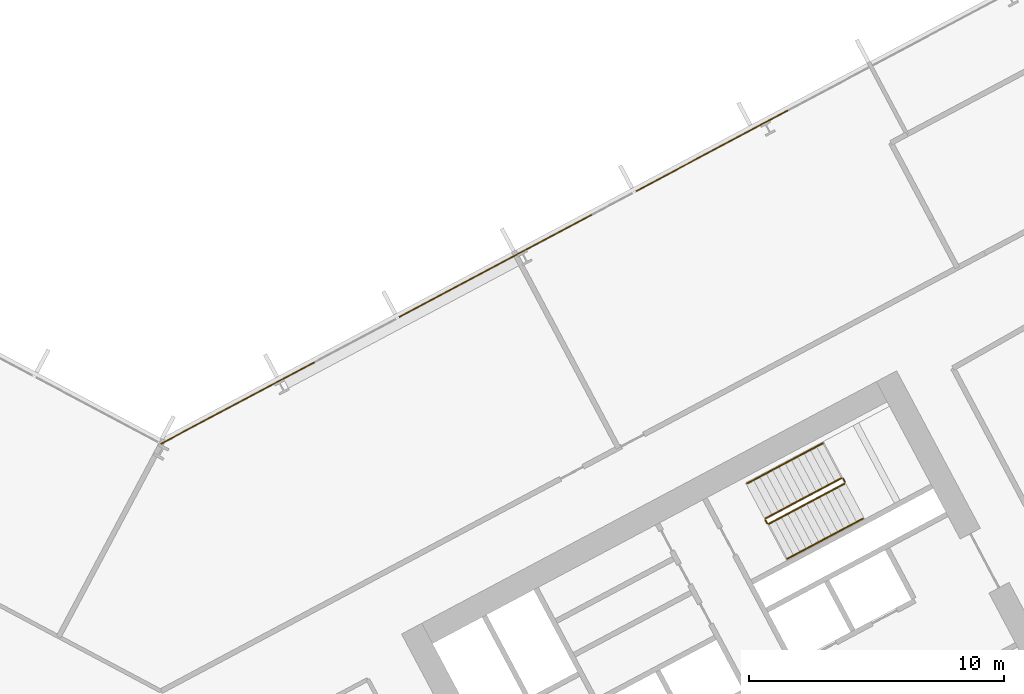
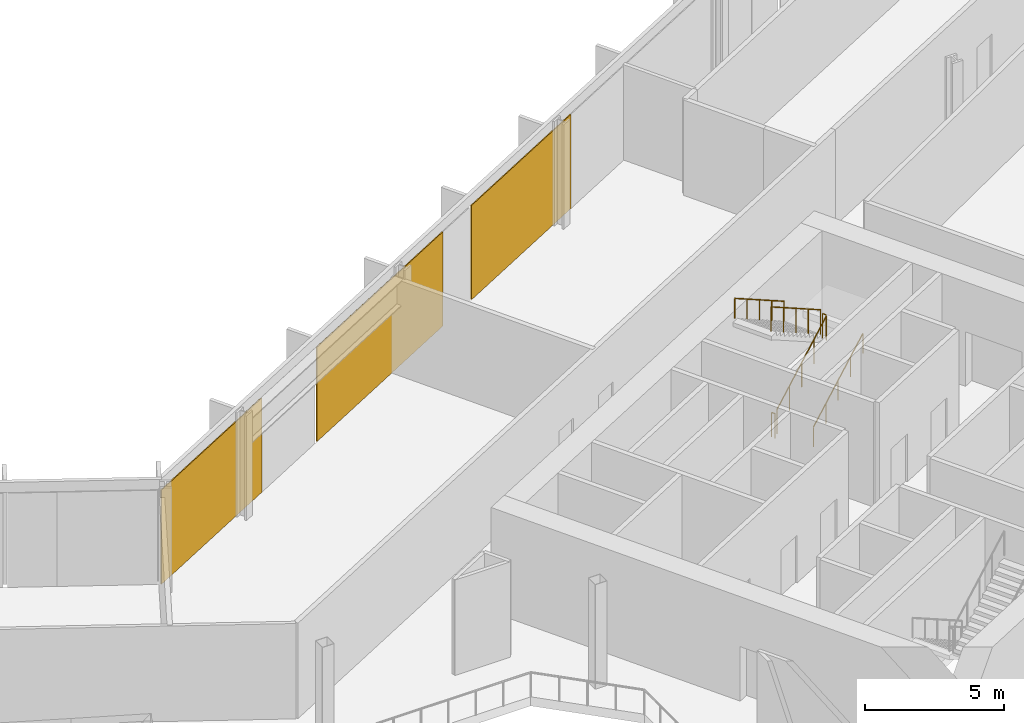
# One storey, part 28 of 30: 6 railings, 3 coverings, 1 element without a shape of its own.
"""IFC4 building model written with IfcOpenShell, lengths in metres."""

from ifc_helpers import new_model, si_unit, direction, frame, origin, origin_2d, place, context, subcontext, project, spatial, polyline, rectangle, outline, extrude, material, layer, layer_set, type_object, element, aggregate, save


model = new_model("IFC4")

# Units and contexts
model_context = context("Model", 3, precision=1e-05, world=origin(), true_north=direction((0.0, 1.0)))
body_context = subcontext(model_context, "Body", "Model", "MODEL_VIEW")
ifc_project = project(units=[si_unit("LENGTHUNIT", "METRE"), si_unit("AREAUNIT", "SQUARE_METRE"), si_unit("VOLUMEUNIT", "CUBIC_METRE"), si_unit("PLANEANGLEUNIT", "RADIAN"), si_unit("MASSUNIT", "GRAM", prefix="KILO")], contexts=[model_context])

# Site, building, storey
site_placement = place(None, origin())
site = spatial("IfcSite", under=ifc_project, at=site_placement, CompositionType="ELEMENT")
building_placement = place(site_placement, origin())
building = spatial("IfcBuilding", under=site, at=building_placement, Name="Cormorant Relay Tower", CompositionType="ELEMENT")
storey_placement = place(building_placement, frame((0.0, 0.0, 89.199951171875)))
storey = spatial("IfcBuildingStorey", under=building, at=storey_placement, Name="L17", CompositionType="ELEMENT", Elevation=89.199951171875)

# Curtain wall, coverings
ifc_material_1 = material(Name="Aluminium 6063-T6 anodised bronze", Category="aluminium")
ifc_layer_1 = layer(ifc_material_1, 0.199951171875)
ifc_layer_set_1 = layer_set([ifc_layer_1], Name="CW1 unitised bronze curtain wall with vertical fins")
curtain_wall_type = type_object("IfcCurtainWallType", Name="CW1 unitised bronze curtain wall with vertical fins", PredefinedType="NOTDEFINED", material=ifc_layer_set_1)
curtain_wall_placement = place(storey_placement, origin())
curtain_wall = element("IfcCurtainWall", 1, at=curtain_wall_placement, inside=storey, type_object=curtain_wall_type, Name="CW1 curtain wall 6", PredefinedType="NOTDEFINED")
ifc_material_2 = material(Name="Pale bronze anodised aluminium insulated panel", Category="aluminium")
ifc_layer_2 = layer(ifc_material_2, 0.0400390625)
ifc_layer_set_2 = layer_set([ifc_layer_2], Name="CW1 pale bronze insulated panel 40")
covering_type = type_object("IfcCoveringType", Name="CW1 pale bronze insulated panel 40", PredefinedType="CLADDING", material=ifc_layer_set_2)
covering_1_placement = place(storey_placement, frame((21.6123046875, 35.298095703125, 0.0), z_axis=(0.0, 0.0, 1.0), x_axis=(-0.882947592859, -0.469471562786, 0.0)))
covering_1 = element("IfcCovering", 2, at=covering_1_placement, type_object=covering_type, Name="CW1 panel S06", PredefinedType="CLADDING", context=body_context, shape_type="SweptSolid", body=[
    extrude(rectangle(XDim=6.765380859375, YDim=0.0400390625, at=origin_2d()), origin(), (0.0, 0.0, 1.0), 4.14990234375),
])
covering_2_placement = place(storey_placement, frame((13.12255859375, 30.7841796875, 0.0), z_axis=(0.0, 0.0, 1.0), x_axis=(-0.882947592859, -0.469471562786, 0.0)))
covering_2 = element("IfcCovering", 3, at=covering_2_placement, type_object=covering_type, Name="CW1 panel S08", PredefinedType="CLADDING", context=body_context, shape_type="SweptSolid", body=[
    extrude(rectangle(XDim=8.565185546875, YDim=0.0400390625, at=origin_2d()), origin(), (0.0, 0.0, 1.0), 4.14990234375),
])
covering_3_placement = place(storey_placement, frame((3.010498046875, 25.4072265625, 0.0), z_axis=(0.0, 0.0, 1.0), x_axis=(-0.882947592859, -0.469471562786, 0.0)))
covering_3 = element("IfcCovering", 4, at=covering_3_placement, type_object=covering_type, Name="CW1 panel S10", PredefinedType="CLADDING", context=body_context, shape_type="SweptSolid", body=[
    extrude(rectangle(XDim=6.84033203125, YDim=0.0400390625, at=origin_2d()), origin(), (0.0, 0.0, 1.0), 4.14990234375),
])
aggregate(curtain_wall, [covering_1, covering_2, covering_3])

# Railings
ifc_material_3 = material(Name="Steel ASTM A572 Grade 50 (Fy 345 MPa)", Category="steel")
railing_type_1 = type_object("IfcRailingType", Name="Stair guard 1100", PredefinedType="GUARDRAIL", material=ifc_material_3)
railing_1_placement = place(storey_placement, frame((23.8408203125, 20.6611328125, 0.177001953125)))
element("IfcRailing", 5, at=railing_1_placement, inside=storey, type_object=railing_type_1, Name="L17 B2 stair guard 1", PredefinedType="GUARDRAIL", context=body_context, shape_type="SweptSolid", body=[
    extrude(outline(polyline([(0.022216796875, 0.00927734375), (0.00927734375, 0.022216796875), (-0.00927734375, 0.022216796875), (-0.022216796875, 0.00927734375), (-0.022216796875, -0.00927734375), (-0.00927734375, -0.022216796875), (0.00927734375, -0.022216796875), (0.022216796875, -0.00927734375), (0.022216796875, 0.00927734375)])), frame((0.0, 0.0, 1.076171875), z_axis=(0.746440668329, 0.396869088057, 0.534154711306), x_axis=(-0.46945269911, 0.882957622595, 0.0)), (0.0, 0.0, 1.0), 3.974609375),
    extrude(outline(polyline([(0.019287109375, 0.008056640625), (0.008056640625, 0.019287109375), (-0.008056640625, 0.019287109375), (-0.019287109375, 0.008056640625), (-0.019287109375, -0.008056640625), (-0.008056640625, -0.019287109375), (0.008056640625, -0.019287109375), (0.019287109375, -0.008056640625), (0.019287109375, 0.008056640625)])), origin(), (0.0, 0.0, 1.0), 1.052001953125),
    extrude(outline(polyline([(0.019287109375, 0.008056640625), (0.008056640625, 0.019287109375), (-0.008056640625, 0.019287109375), (-0.019287109375, 0.008056640625), (-0.019287109375, -0.008056640625), (-0.008056640625, -0.019287109375), (0.008056640625, -0.019287109375), (0.019287109375, -0.008056640625), (0.019287109375, 0.008056640625)])), frame((0.74169921875, 0.394287109375, 0.53076171875)), (0.0, 0.0, 1.0), 1.052001953125),
    extrude(outline(polyline([(0.019287109375, 0.008056640625), (0.008056640625, 0.019287109375), (-0.008056640625, 0.019287109375), (-0.019287109375, 0.008056640625), (-0.019287109375, -0.008056640625), (-0.008056640625, -0.019287109375), (0.008056640625, -0.019287109375), (0.019287109375, -0.008056640625), (0.019287109375, 0.008056640625)])), frame((1.4833984375, 0.78857421875, 1.0615234375)), (0.0, 0.0, 1.0), 1.052001953125),
    extrude(outline(polyline([(0.019287109375, 0.008056640625), (0.008056640625, 0.019287109375), (-0.008056640625, 0.019287109375), (-0.019287109375, 0.008056640625), (-0.019287109375, -0.008056640625), (-0.008056640625, -0.019287109375), (0.008056640625, -0.019287109375), (0.019287109375, -0.008056640625), (0.019287109375, 0.008056640625)])), frame((2.22509765625, 1.18310546875, 1.59228515625)), (0.0, 0.0, 1.0), 1.052001953125),
    extrude(outline(polyline([(0.019287109375, 0.008056640625), (0.008056640625, 0.019287109375), (-0.008056640625, 0.019287109375), (-0.019287109375, 0.008056640625), (-0.019287109375, -0.008056640625), (-0.008056640625, -0.019287109375), (0.008056640625, -0.019287109375), (0.019287109375, -0.008056640625), (0.019287109375, 0.008056640625)])), frame((2.966796875, 1.577392578125, 2.123046875)), (0.0, 0.0, 1.0), 1.052001953125),
])
railing_2_placement = place(storey_placement, frame((26.828125, 22.30615234375, 2.300048828125)))
element("IfcRailing", 6, at=railing_2_placement, inside=storey, type_object=railing_type_1, Name="L17 B2 stair guard 2", PredefinedType="GUARDRAIL", context=body_context, shape_type="SweptSolid", body=[
    extrude(outline(polyline([(0.022216796875, 0.00927734375), (0.00927734375, 0.022216796875), (-0.00927734375, 0.022216796875), (-0.022216796875, 0.00927734375), (-0.022216796875, -0.00927734375), (-0.00927734375, -0.022216796875), (0.00927734375, -0.022216796875), (0.022216796875, -0.00927734375), (0.022216796875, 0.00927734375)])), frame((0.0, 0.0, 1.076171875), z_axis=(-0.469234640946, 0.883073525669, 0.0), x_axis=(-0.883073525669, -0.469234640946, 0.0)), (0.0, 0.0, 1.0), 0.14990234375),
    extrude(outline(polyline([(0.019287109375, 0.008056640625), (0.008056640625, 0.019287109375), (-0.008056640625, 0.019287109375), (-0.019287109375, 0.008056640625), (-0.019287109375, -0.008056640625), (-0.008056640625, -0.019287109375), (0.008056640625, -0.019287109375), (0.019287109375, -0.008056640625), (0.019287109375, 0.008056640625)])), origin(), (0.0, 0.0, 1.0), 1.052001953125),
    extrude(outline(polyline([(0.019287109375, 0.008056640625), (0.008056640625, 0.019287109375), (-0.008056640625, 0.019287109375), (-0.019287109375, 0.008056640625), (-0.019287109375, -0.008056640625), (-0.008056640625, -0.019287109375), (0.008056640625, -0.019287109375), (0.019287109375, -0.008056640625), (0.019287109375, 0.008056640625)])), frame((-0.0703125, 0.13232421875, 0.0)), (0.0, 0.0, 1.0), 1.052001953125),
])
railing_3_placement = place(storey_placement, frame((26.690185546875, 22.459228515625, 2.47705078125)))
element("IfcRailing", 7, at=railing_3_placement, inside=storey, type_object=railing_type_1, Name="L17 B2 stair guard 3", PredefinedType="GUARDRAIL", context=body_context, shape_type="SweptSolid", body=[
    extrude(outline(polyline([(0.022216796875, 0.00927734375), (0.00927734375, 0.022216796875), (-0.00927734375, 0.022216796875), (-0.022216796875, 0.00927734375), (-0.022216796875, -0.00927734375), (-0.00927734375, -0.022216796875), (0.00927734375, -0.022216796875), (0.022216796875, -0.00927734375), (0.022216796875, 0.00927734375)])), frame((0.0, 0.0, 1.076171875), z_axis=(-0.746440668329, -0.396869088057, 0.534154711306), x_axis=(0.46945269911, -0.882957622595, 0.0)), (0.0, 0.0, 1.0), 3.974609375),
    extrude(outline(polyline([(0.019287109375, 0.008056640625), (0.008056640625, 0.019287109375), (-0.008056640625, 0.019287109375), (-0.019287109375, 0.008056640625), (-0.019287109375, -0.008056640625), (-0.008056640625, -0.019287109375), (0.008056640625, -0.019287109375), (0.019287109375, -0.008056640625), (0.019287109375, 0.008056640625)])), origin(), (0.0, 0.0, 1.0), 1.052001953125),
    extrude(outline(polyline([(0.019287109375, 0.008056640625), (0.008056640625, 0.019287109375), (-0.008056640625, 0.019287109375), (-0.019287109375, 0.008056640625), (-0.019287109375, -0.008056640625), (-0.008056640625, -0.019287109375), (0.008056640625, -0.019287109375), (0.019287109375, -0.008056640625), (0.019287109375, 0.008056640625)])), frame((-0.74169921875, -0.394287109375, 0.53076171875)), (0.0, 0.0, 1.0), 1.052001953125),
    extrude(outline(polyline([(0.019287109375, 0.008056640625), (0.008056640625, 0.019287109375), (-0.008056640625, 0.019287109375), (-0.019287109375, 0.008056640625), (-0.019287109375, -0.008056640625), (-0.008056640625, -0.019287109375), (0.008056640625, -0.019287109375), (0.019287109375, -0.008056640625), (0.019287109375, 0.008056640625)])), frame((-1.4833984375, -0.78857421875, 1.0615234375)), (0.0, 0.0, 1.0), 1.052001953125),
    extrude(outline(polyline([(0.019287109375, 0.008056640625), (0.008056640625, 0.019287109375), (-0.008056640625, 0.019287109375), (-0.019287109375, 0.008056640625), (-0.019287109375, -0.008056640625), (-0.008056640625, -0.019287109375), (0.008056640625, -0.019287109375), (0.019287109375, -0.008056640625), (0.019287109375, 0.008056640625)])), frame((-2.22509765625, -1.18310546875, 1.59228515625)), (0.0, 0.0, 1.0), 1.052001953125),
    extrude(outline(polyline([(0.019287109375, 0.008056640625), (0.008056640625, 0.019287109375), (-0.008056640625, 0.019287109375), (-0.019287109375, 0.008056640625), (-0.019287109375, -0.008056640625), (-0.008056640625, -0.019287109375), (0.008056640625, -0.019287109375), (0.019287109375, -0.008056640625), (0.019287109375, 0.008056640625)])), frame((-2.966796875, -1.577392578125, 2.123046875)), (0.0, 0.0, 1.0), 1.052001953125),
])
railing_4_placement = place(storey_placement, frame((23.773193359375, 20.681640625, 0.0)))
element("IfcRailing", 8, at=railing_4_placement, inside=storey, type_object=railing_type_1, Name="L17 B2 stair guard 4", PredefinedType="GUARDRAIL", context=body_context, shape_type="SweptSolid", body=[
    extrude(outline(polyline([(0.022216796875, 0.00927734375), (0.00927734375, 0.022216796875), (-0.00927734375, 0.022216796875), (-0.022216796875, 0.00927734375), (-0.022216796875, -0.00927734375), (-0.00927734375, -0.022216796875), (0.00927734375, -0.022216796875), (0.022216796875, -0.00927734375), (0.022216796875, 0.00927734375)])), frame((0.0, 0.0, 1.076171875), z_axis=(-0.46856034887, 0.8834314911, 0.0), x_axis=(-0.8834314911, -0.46856034887, 0.0)), (0.0, 0.0, 1.0), 0.150146484375),
    extrude(outline(polyline([(0.019287109375, 0.008056640625), (0.008056640625, 0.019287109375), (-0.008056640625, 0.019287109375), (-0.019287109375, 0.008056640625), (-0.019287109375, -0.008056640625), (-0.008056640625, -0.019287109375), (0.008056640625, -0.019287109375), (0.019287109375, -0.008056640625), (0.019287109375, 0.008056640625)])), origin(), (0.0, 0.0, 1.0), 1.052001953125),
    extrude(outline(polyline([(0.019287109375, 0.008056640625), (0.008056640625, 0.019287109375), (-0.008056640625, 0.019287109375), (-0.019287109375, 0.008056640625), (-0.019287109375, -0.008056640625), (-0.008056640625, -0.019287109375), (0.008056640625, -0.019287109375), (0.019287109375, -0.008056640625), (0.019287109375, 0.008056640625)])), frame((-0.0703125, 0.132568359375, 0.0)), (0.0, 0.0, 1.0), 1.052001953125),
])
ifc_material_4 = material(Name="Steel ASTM A572 Grade 50 (Fy 345 MPa)", Category="steel")
railing_type_2 = type_object("IfcRailingType", Name="Stair handrail 900", PredefinedType="HANDRAIL", material=ifc_material_4)
railing_5_placement = place(storey_placement, frame((24.568603515625, 19.29248046875, 0.177001953125)))
element("IfcRailing", 9, at=railing_5_placement, inside=storey, type_object=railing_type_2, Name="L17 B2 stair handrail 1", PredefinedType="HANDRAIL", context=body_context, shape_type="SweptSolid", body=[
    extrude(outline(polyline([(0.022216796875, 0.00927734375), (0.00927734375, 0.022216796875), (-0.00927734375, 0.022216796875), (-0.022216796875, 0.00927734375), (-0.022216796875, -0.00927734375), (-0.00927734375, -0.022216796875), (0.00927734375, -0.022216796875), (0.022216796875, -0.00927734375), (0.022216796875, 0.00927734375)])), frame((0.0, 0.0, 0.8759765625), z_axis=(0.746413465702, 0.396887285154, 0.534179203172), x_axis=(-0.469482818608, 0.88294160794, 0.0)), (0.0, 0.0, 1.0), 3.974365234375),
    extrude(outline(polyline([(0.019287109375, 0.008056640625), (0.008056640625, 0.019287109375), (-0.008056640625, 0.019287109375), (-0.019287109375, 0.008056640625), (-0.019287109375, -0.008056640625), (-0.008056640625, -0.019287109375), (0.008056640625, -0.019287109375), (0.019287109375, -0.008056640625), (0.019287109375, 0.008056640625)])), origin(), (0.0, 0.0, 1.0), 0.851806640625),
    extrude(outline(polyline([(0.019287109375, 0.008056640625), (0.008056640625, 0.019287109375), (-0.008056640625, 0.019287109375), (-0.019287109375, 0.008056640625), (-0.019287109375, -0.008056640625), (-0.008056640625, -0.019287109375), (0.008056640625, -0.019287109375), (0.019287109375, -0.008056640625), (0.019287109375, 0.008056640625)])), frame((0.74169921875, 0.394287109375, 0.53076171875)), (0.0, 0.0, 1.0), 0.851806640625),
    extrude(outline(polyline([(0.019287109375, 0.008056640625), (0.008056640625, 0.019287109375), (-0.008056640625, 0.019287109375), (-0.019287109375, 0.008056640625), (-0.019287109375, -0.008056640625), (-0.008056640625, -0.019287109375), (0.008056640625, -0.019287109375), (0.019287109375, -0.008056640625), (0.019287109375, 0.008056640625)])), frame((1.4833984375, 0.78857421875, 1.0615234375)), (0.0, 0.0, 1.0), 0.851806640625),
    extrude(outline(polyline([(0.019287109375, 0.008056640625), (0.008056640625, 0.019287109375), (-0.008056640625, 0.019287109375), (-0.019287109375, 0.008056640625), (-0.019287109375, -0.008056640625), (-0.008056640625, -0.019287109375), (0.008056640625, -0.019287109375), (0.019287109375, -0.008056640625), (0.019287109375, 0.008056640625)])), frame((2.224853515625, 1.18310546875, 1.59228515625)), (0.0, 0.0, 1.0), 0.851806640625),
    extrude(outline(polyline([(0.019287109375, 0.008056640625), (0.008056640625, 0.019287109375), (-0.008056640625, 0.019287109375), (-0.019287109375, 0.008056640625), (-0.019287109375, -0.008056640625), (-0.008056640625, -0.019287109375), (0.008056640625, -0.019287109375), (0.019287109375, -0.008056640625), (0.019287109375, 0.008056640625)])), frame((2.966552734375, 1.577392578125, 2.123046875)), (0.0, 0.0, 1.0), 0.851806640625),
])
railing_6_placement = place(storey_placement, frame((25.96240234375, 23.827880859375, 2.47705078125)))
element("IfcRailing", 10, at=railing_6_placement, inside=storey, type_object=railing_type_2, Name="L17 B2 stair handrail 2", PredefinedType="HANDRAIL", context=body_context, shape_type="SweptSolid", body=[
    extrude(outline(polyline([(0.022216796875, 0.00927734375), (0.00927734375, 0.022216796875), (-0.00927734375, 0.022216796875), (-0.022216796875, 0.00927734375), (-0.022216796875, -0.00927734375), (-0.00927734375, -0.022216796875), (0.00927734375, -0.022216796875), (0.022216796875, -0.00927734375), (0.022216796875, 0.00927734375)])), frame((0.0, 0.0, 0.8759765625), z_axis=(-0.74639526736, -0.39693903528, 0.534166179324), x_axis=(0.469539463624, -0.882911485994, 0.0)), (0.0, 0.0, 1.0), 3.974609375),
    extrude(outline(polyline([(0.019287109375, 0.008056640625), (0.008056640625, 0.019287109375), (-0.008056640625, 0.019287109375), (-0.019287109375, 0.008056640625), (-0.019287109375, -0.008056640625), (-0.008056640625, -0.019287109375), (0.008056640625, -0.019287109375), (0.019287109375, -0.008056640625), (0.019287109375, 0.008056640625)])), origin(), (0.0, 0.0, 1.0), 0.851806640625),
    extrude(outline(polyline([(0.019287109375, 0.008056640625), (0.008056640625, 0.019287109375), (-0.008056640625, 0.019287109375), (-0.019287109375, 0.008056640625), (-0.019287109375, -0.008056640625), (-0.008056640625, -0.019287109375), (0.008056640625, -0.019287109375), (0.019287109375, -0.008056640625), (0.019287109375, 0.008056640625)])), frame((-0.74169921875, -0.39453125, 0.53076171875)), (0.0, 0.0, 1.0), 0.851806640625),
    extrude(outline(polyline([(0.019287109375, 0.008056640625), (0.008056640625, 0.019287109375), (-0.008056640625, 0.019287109375), (-0.019287109375, 0.008056640625), (-0.019287109375, -0.008056640625), (-0.008056640625, -0.019287109375), (0.008056640625, -0.019287109375), (0.019287109375, -0.008056640625), (0.019287109375, 0.008056640625)])), frame((-1.4833984375, -0.788818359375, 1.0615234375)), (0.0, 0.0, 1.0), 0.851806640625),
    extrude(outline(polyline([(0.019287109375, 0.008056640625), (0.008056640625, 0.019287109375), (-0.008056640625, 0.019287109375), (-0.019287109375, 0.008056640625), (-0.019287109375, -0.008056640625), (-0.008056640625, -0.019287109375), (0.008056640625, -0.019287109375), (0.019287109375, -0.008056640625), (0.019287109375, 0.008056640625)])), frame((-2.224853515625, -1.18310546875, 1.59228515625)), (0.0, 0.0, 1.0), 0.851806640625),
    extrude(outline(polyline([(0.019287109375, 0.008056640625), (0.008056640625, 0.019287109375), (-0.008056640625, 0.019287109375), (-0.019287109375, 0.008056640625), (-0.019287109375, -0.008056640625), (-0.008056640625, -0.019287109375), (0.008056640625, -0.019287109375), (0.019287109375, -0.008056640625), (0.019287109375, 0.008056640625)])), frame((-2.966552734375, -1.57763671875, 2.123046875)), (0.0, 0.0, 1.0), 0.851806640625),
])

save(model, "model.ifc")
